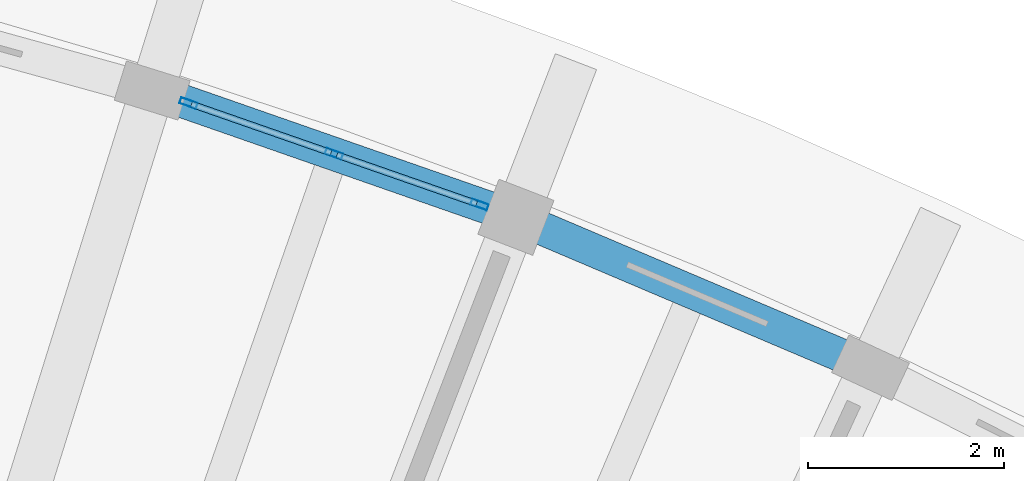
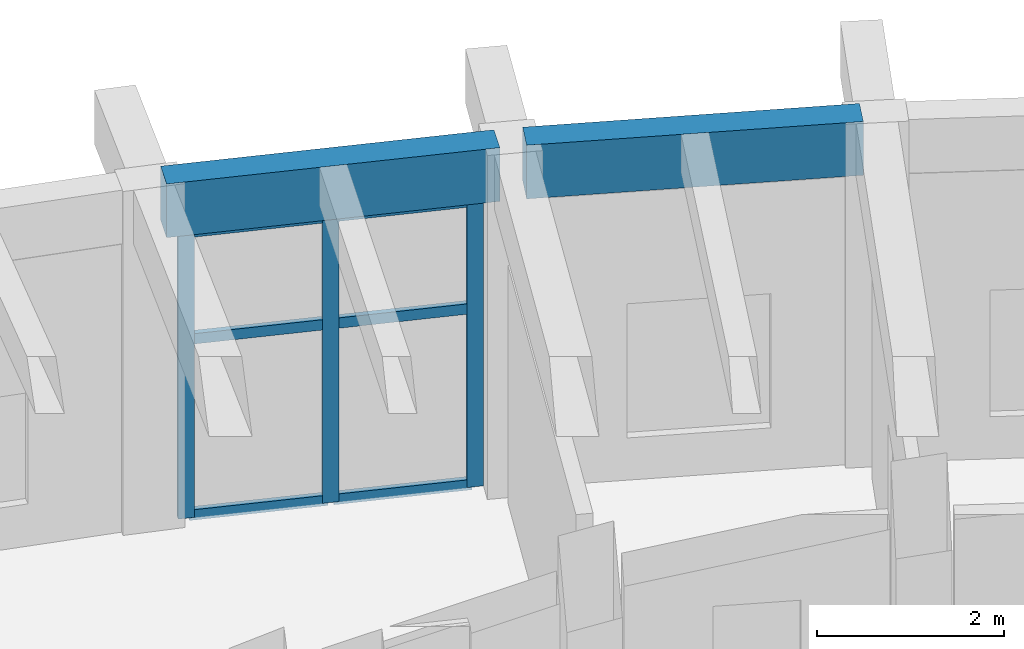
# One storey, part 67 of 132: 9 members, 2 beams, 1 element without a shape of its own.
"""IFC4 building model written with IfcOpenShell, lengths in metres."""

from ifc_helpers import new_model, si_unit, direction, frame, origin, origin_2d, place, context, subcontext, project, spatial, rectangle, hollow_rectangle, extrude, material, material_profile, profile_set, type_object, element, aggregate, save


model = new_model("IFC4")

# Units and contexts
model_context = context("Model", 3, precision=1e-05, world=origin(), true_north=direction((0.0, 1.0)))
body_context = subcontext(model_context, "Body", "Model", "MODEL_VIEW")
ifc_project = project(units=[si_unit("LENGTHUNIT", "METRE"), si_unit("AREAUNIT", "SQUARE_METRE"), si_unit("VOLUMEUNIT", "CUBIC_METRE"), si_unit("PLANEANGLEUNIT", "RADIAN"), si_unit("MASSUNIT", "GRAM", prefix="KILO")], contexts=[model_context])

# Site, building, storey
site_placement = place(None, origin())
site = spatial("IfcSite", under=ifc_project, at=site_placement, CompositionType="ELEMENT")
building_placement = place(site_placement, origin())
building = spatial("IfcBuilding", under=site, at=building_placement, Name="Tanwirah Colonnade Gardens", CompositionType="ELEMENT")
storey_placement = place(building_placement, origin())
storey = spatial("IfcBuildingStorey", under=building, at=storey_placement, Name="L00", CompositionType="ELEMENT", Elevation=0.0)

# Curtain wall, members
ifc_material_1 = material(Name="Bronze-anodised aluminium and solar-control low-E glass", Category="aluminium")
curtain_wall_type = type_object("IfcCurtainWallType", Name="CW-LOB", PredefinedType="NOTDEFINED", material=ifc_material_1)
curtain_wall_placement = place(storey_placement, origin())
curtain_wall = element("IfcCurtainWall", 1, at=curtain_wall_placement, inside=storey, type_object=curtain_wall_type, Name="Curtain Wall CW-B-L00-OUT-14", PredefinedType="NOTDEFINED")
ifc_material_2 = material(Name="Bronze-anodised aluminium", Category="aluminium")
ifc_material_profile_1 = material_profile(ifc_material_2, hollow_rectangle(XDim=0.06494140625, YDim=0.179931640625, WallThickness=0.00390625, at=origin_2d()), Name="CW-MUL 65x180x4")
ifc_profile_set_1 = profile_set([ifc_material_profile_1], Name="Bronze-anodised aluminium")
member_type_1 = type_object("IfcMemberType", Name="CWM-65x180", PredefinedType="MULLION", material=ifc_profile_set_1)
member_1_placement = place(storey_placement, frame((142.077880859375, 115.882568359375, 0.0), z_axis=(0.0, 0.0, 1.0), x_axis=(-0.329232195914, -0.944248993208, 0.0)))
member_1 = element("IfcMember", 2, at=member_1_placement, type_object=member_type_1, Name="CW-LOB mullion 1", PredefinedType="MULLION", context=body_context, shape_type="SweptSolid", body=[
    extrude(hollow_rectangle(XDim=0.06494140625, YDim=0.179931640625, WallThickness=0.00390625, at=origin_2d()), origin(), (0.0, 0.0, 1.0), 3.7548828125),
])
member_2_placement = place(storey_placement, frame((140.59521484375, 116.3994140625, 0.0), z_axis=(0.0, 0.0, 1.0), x_axis=(-0.329232195914, -0.944248993208, 0.0)))
member_2 = element("IfcMember", 3, at=member_2_placement, type_object=member_type_1, Name="CW-LOB mullion 2", PredefinedType="MULLION", context=body_context, shape_type="SweptSolid", body=[
    extrude(hollow_rectangle(XDim=0.06494140625, YDim=0.179931640625, WallThickness=0.00390625, at=origin_2d()), origin(), (0.0, 0.0, 1.0), 3.7548828125),
])
member_3_placement = place(storey_placement, frame((139.1123046875, 116.91650390625, 0.0), z_axis=(0.0, 0.0, 1.0), x_axis=(-0.329232195914, -0.944248993208, 0.0)))
member_3 = element("IfcMember", 4, at=member_3_placement, type_object=member_type_1, Name="CW-LOB mullion 3", PredefinedType="MULLION", context=body_context, shape_type="SweptSolid", body=[
    extrude(hollow_rectangle(XDim=0.06494140625, YDim=0.179931640625, WallThickness=0.00390625, at=origin_2d()), origin(), (0.0, 0.0, 1.0), 3.7548828125),
])
ifc_material_profile_2 = material_profile(ifc_material_2, hollow_rectangle(XDim=0.06494140625, YDim=0.135009765625, WallThickness=0.00390625, at=origin_2d()), Name="CW-TRN 65x135x4")
ifc_profile_set_2 = profile_set([ifc_material_profile_2], Name="Bronze-anodised aluminium")
member_type_2 = type_object("IfcMemberType", Name="CWT-65x135", PredefinedType="USERDEFINED", material=ifc_profile_set_2)
member_4_placement = place(storey_placement, frame((142.04736328125, 115.89306640625, 0.032470703125), z_axis=(-0.944264668156, 0.329187236194, 0.0), x_axis=(-0.329187236194, -0.944264668156, 0.0)))
member_4 = element("IfcMember", 5, at=member_4_placement, type_object=member_type_2, Name="CW-LOB transom 1.1", ObjectType="TRANSOM", PredefinedType="USERDEFINED", context=body_context, shape_type="SweptSolid", body=[
    extrude(hollow_rectangle(XDim=0.06494140625, YDim=0.135009765625, WallThickness=0.00390625, at=origin_2d()), origin(), (0.0, 0.0, 1.0), 1.505615234375),
])
member_5_placement = place(storey_placement, frame((142.04736328125, 115.89306640625, 2.328125), z_axis=(-0.944264668156, 0.329187236194, 0.0), x_axis=(-0.329187236194, -0.944264668156, 0.0)))
member_5 = element("IfcMember", 6, at=member_5_placement, type_object=member_type_2, Name="CW-LOB transom 1.2", ObjectType="TRANSOM", PredefinedType="USERDEFINED", context=body_context, shape_type="SweptSolid", body=[
    extrude(hollow_rectangle(XDim=0.06494140625, YDim=0.135009765625, WallThickness=0.00390625, at=origin_2d()), origin(), (0.0, 0.0, 1.0), 1.505615234375),
])
member_6_placement = place(storey_placement, frame((142.04736328125, 115.89306640625, 3.722412109375), z_axis=(-0.944264668156, 0.329187236194, 0.0), x_axis=(-0.329187236194, -0.944264668156, 0.0)))
member_6 = element("IfcMember", 7, at=member_6_placement, type_object=member_type_2, Name="CW-LOB transom 1.3", ObjectType="TRANSOM", PredefinedType="USERDEFINED", context=body_context, shape_type="SweptSolid", body=[
    extrude(hollow_rectangle(XDim=0.06494140625, YDim=0.135009765625, WallThickness=0.00390625, at=origin_2d()), origin(), (0.0, 0.0, 1.0), 1.505615234375),
])
member_7_placement = place(storey_placement, frame((140.564453125, 116.41015625, 0.032470703125), z_axis=(-0.944247091644, 0.329237649611, 0.0), x_axis=(-0.329237649611, -0.944247091644, 0.0)))
member_7 = element("IfcMember", 8, at=member_7_placement, type_object=member_type_2, Name="CW-LOB transom 2.1", ObjectType="TRANSOM", PredefinedType="USERDEFINED", context=body_context, shape_type="SweptSolid", body=[
    extrude(hollow_rectangle(XDim=0.06494140625, YDim=0.135009765625, WallThickness=0.00390625, at=origin_2d()), origin(), (0.0, 0.0, 1.0), 1.50537109375),
])
member_8_placement = place(storey_placement, frame((140.564453125, 116.41015625, 2.328125), z_axis=(-0.944247091644, 0.329237649611, 0.0), x_axis=(-0.329237649611, -0.944247091644, 0.0)))
member_8 = element("IfcMember", 9, at=member_8_placement, type_object=member_type_2, Name="CW-LOB transom 2.2", ObjectType="TRANSOM", PredefinedType="USERDEFINED", context=body_context, shape_type="SweptSolid", body=[
    extrude(hollow_rectangle(XDim=0.06494140625, YDim=0.135009765625, WallThickness=0.00390625, at=origin_2d()), origin(), (0.0, 0.0, 1.0), 1.50537109375),
])
member_9_placement = place(storey_placement, frame((140.564453125, 116.41015625, 3.722412109375), z_axis=(-0.944247091644, 0.329237649611, 0.0), x_axis=(-0.329237649611, -0.944247091644, 0.0)))
member_9 = element("IfcMember", 10, at=member_9_placement, type_object=member_type_2, Name="CW-LOB transom 2.3", ObjectType="TRANSOM", PredefinedType="USERDEFINED", context=body_context, shape_type="SweptSolid", body=[
    extrude(hollow_rectangle(XDim=0.06494140625, YDim=0.135009765625, WallThickness=0.00390625, at=origin_2d()), origin(), (0.0, 0.0, 1.0), 1.50537109375),
])
aggregate(curtain_wall, [member_1, member_2, member_3, member_4, member_5, member_6, member_7, member_8, member_9])

# Beams
ifc_material_3 = material(Name="Precast concrete C45/55", Category="concrete")
ifc_material_profile_3 = material_profile(ifc_material_3, rectangle(XDim=0.340087890625, YDim=0.699951171875, at=origin_2d()), Name="PC-SP 340x700")
ifc_profile_set_3 = profile_set([ifc_material_profile_3], Name="Precast concrete C45/55")
beam_type = type_object("IfcBeamType", Name="SP-PC340", PredefinedType="SPANDREL", material=ifc_profile_set_3)
for number, where, z_axis, x_axis, name in (
    (11, (145.924072265625, 114.27783203125, 4.135009765625), (-0.920494456807, 0.390755620545, 0.0), (-0.390755620545, -0.920494456807, 0.0), "Block B L00 Circumferential Beam 13-R3"),
    (12, (142.306884765625, 115.802490234375, 4.135009765625), (-0.944236700093, 0.329267450863, 0.0), (-0.329267450863, -0.944236700093, 0.0), "Block B L00 Circumferential Beam 14-R3"),
):
    element("IfcBeam", number, at=place(storey_placement, frame(where, z_axis=z_axis, x_axis=x_axis)), inside=storey, type_object=beam_type, Name=name, PredefinedType="SPANDREL", context=body_context, shape_type="SweptSolid", body=[
        extrude(rectangle(XDim=0.340087890625, YDim=0.699951171875, at=origin_2d()), origin(), (0.0, 0.0, 1.0), 3.625732421875),
    ])

save(model, "model.ifc")
